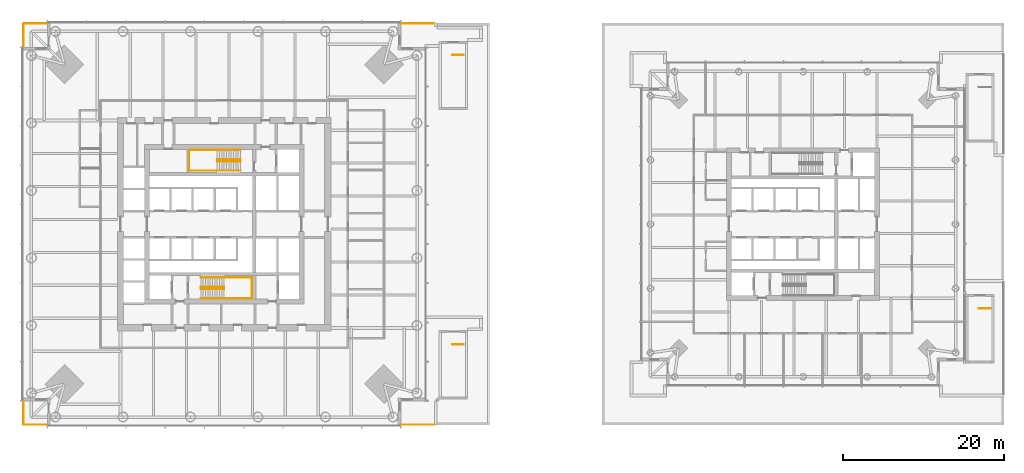
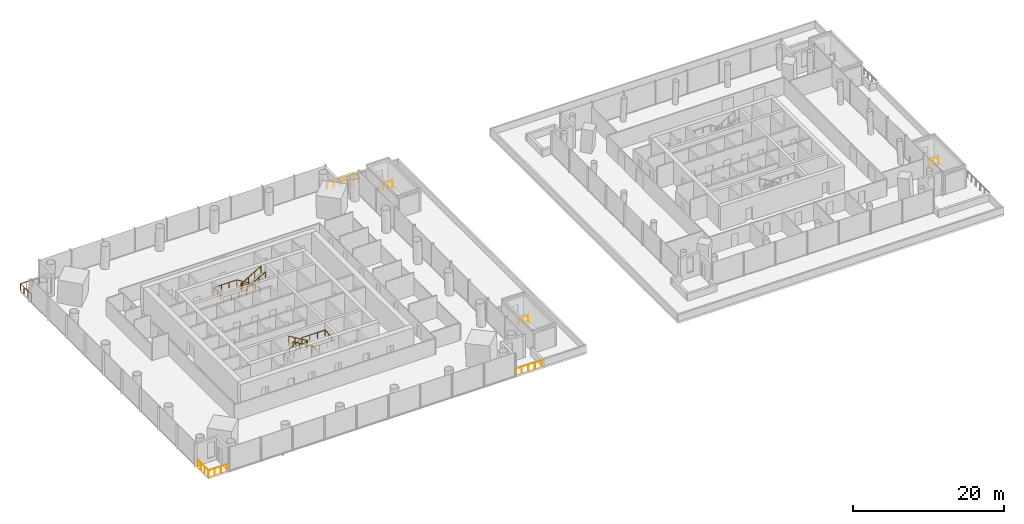
# One storey, part 18 of 19: 11 railings.
"""IFC4 building model written with IfcOpenShell, lengths in metres."""

from ifc_helpers import new_model, si_unit, direction, frame, origin, origin_2d, place, context, subcontext, project, spatial, circle, extrude, material, type_object, element, save


model = new_model("IFC4")

# Units and contexts
model_context = context("Model", 3, precision=1e-05, world=origin(), true_north=direction((0.0, 1.0)))
body_context = subcontext(model_context, "Body", "Model", "MODEL_VIEW")
ifc_project = project(units=[si_unit("LENGTHUNIT", "METRE"), si_unit("AREAUNIT", "SQUARE_METRE"), si_unit("VOLUMEUNIT", "CUBIC_METRE"), si_unit("PLANEANGLEUNIT", "RADIAN"), si_unit("MASSUNIT", "GRAM", prefix="KILO")], contexts=[model_context])

# Site, building, storey
site_placement = place(None, origin())
site = spatial("IfcSite", under=ifc_project, at=site_placement, CompositionType="ELEMENT")
building_placement = place(site_placement, origin())
building = spatial("IfcBuilding", under=site, at=building_placement, Name="Ostroluk Exchange", CompositionType="ELEMENT")
storey_placement = place(building_placement, frame((0.0, 0.0, 21.0)))
storey = spatial("IfcBuildingStorey", under=building, at=storey_placement, Name="L04", CompositionType="ELEMENT", Elevation=21.0)

# Railings
ifc_material_1 = material(Name="Stainless steel", Category="steel")
railing_type_1 = type_object("IfcRailingType", Name="Guard 1100 stainless steel", PredefinedType="GUARDRAIL", material=ifc_material_1)
railing_1_placement = place(storey_placement, frame((67.052001953125, 70.949951171875, 0.0)))
element("IfcRailing", 1, at=railing_1_placement, inside=storey, type_object=railing_type_1, Name="Terrace guard L04 1.1", PredefinedType="GUARDRAIL", context=body_context, shape_type="SweptSolid", body=[
    extrude(circle(Radius=0.02392578125, at=origin_2d()), frame((0.0, 0.0, 1.076171875), z_axis=(1.0, 0.0, 0.0), x_axis=(0.0, 1.0, 0.0)), (0.0, 0.0, 1.0), 4.095947265625),
    extrude(circle(Radius=0.02099609375, at=origin_2d()), origin(), (0.0, 0.0, 1.0), 1.052001953125),
    extrude(circle(Radius=0.02099609375, at=origin_2d()), frame((1.02392578125, 0.0, 0.0)), (0.0, 0.0, 1.0), 1.052001953125),
    extrude(circle(Radius=0.02099609375, at=origin_2d()), frame((2.0478515625, 0.0, 0.0)), (0.0, 0.0, 1.0), 1.052001953125),
    extrude(circle(Radius=0.02099609375, at=origin_2d()), frame((3.072021484375, 0.0, 0.0)), (0.0, 0.0, 1.0), 1.052001953125),
    extrude(circle(Radius=0.02099609375, at=origin_2d()), frame((4.095947265625, 0.0, 0.0)), (0.0, 0.0, 1.0), 1.052001953125),
])
railing_2_placement = place(storey_placement, frame((71.14794921875, 21.050048828125, 0.0)))
element("IfcRailing", 2, at=railing_2_placement, inside=storey, type_object=railing_type_1, Name="Terrace guard L04 1.1", PredefinedType="GUARDRAIL", context=body_context, shape_type="SweptSolid", body=[
    extrude(circle(Radius=0.02392578125, at=origin_2d()), frame((0.0, 0.0, 1.076171875), z_axis=(-1.0, 0.0, 0.0), x_axis=(0.0, -1.0, 0.0)), (0.0, 0.0, 1.0), 4.095947265625),
    extrude(circle(Radius=0.02099609375, at=origin_2d()), origin(), (0.0, 0.0, 1.0), 1.052001953125),
    extrude(circle(Radius=0.02099609375, at=origin_2d()), frame((-1.02392578125, 0.0, 0.0)), (0.0, 0.0, 1.0), 1.052001953125),
    extrude(circle(Radius=0.02099609375, at=origin_2d()), frame((-2.0478515625, 0.0, 0.0)), (0.0, 0.0, 1.0), 1.052001953125),
    extrude(circle(Radius=0.02099609375, at=origin_2d()), frame((-3.072021484375, 0.0, 0.0)), (0.0, 0.0, 1.0), 1.052001953125),
    extrude(circle(Radius=0.02099609375, at=origin_2d()), frame((-4.095947265625, 0.0, 0.0)), (0.0, 0.0, 1.0), 1.052001953125),
])
railing_3_placement = place(storey_placement, frame((20.050048828125, 68.052001953125, 0.0)))
element("IfcRailing", 3, at=railing_3_placement, inside=storey, type_object=railing_type_1, Name="Terrace guard L04 1.1", PredefinedType="GUARDRAIL", context=body_context, shape_type="SweptSolid", body=[
    extrude(circle(Radius=0.02392578125, at=origin_2d()), frame((0.0, 0.0, 1.076171875), z_axis=(0.0, 1.0, 0.0), x_axis=(-1.0, 0.0, 0.0)), (0.0, 0.0, 1.0), 2.89794921875),
    extrude(circle(Radius=0.02392578125, at=origin_2d()), frame((0.0, 2.89794921875, 1.076171875), z_axis=(1.0, 0.0, 0.0), x_axis=(0.0, 1.0, 0.0)), (0.0, 0.0, 1.0), 2.89794921875),
    extrude(circle(Radius=0.02099609375, at=origin_2d()), origin(), (0.0, 0.0, 1.0), 1.052001953125),
    extrude(circle(Radius=0.02099609375, at=origin_2d()), frame((0.0, 0.966064453125, 0.0)), (0.0, 0.0, 1.0), 1.052001953125),
    extrude(circle(Radius=0.02099609375, at=origin_2d()), frame((0.0, 1.931884765625, 0.0)), (0.0, 0.0, 1.0), 1.052001953125),
    extrude(circle(Radius=0.02099609375, at=origin_2d()), frame((0.0, 2.89794921875, 0.0)), (0.0, 0.0, 1.0), 1.052001953125),
    extrude(circle(Radius=0.02099609375, at=origin_2d()), frame((0.966064453125, 2.89794921875, 0.0)), (0.0, 0.0, 1.0), 1.052001953125),
    extrude(circle(Radius=0.02099609375, at=origin_2d()), frame((1.931884765625, 2.89794921875, 0.0)), (0.0, 0.0, 1.0), 1.052001953125),
    extrude(circle(Radius=0.02099609375, at=origin_2d()), frame((2.89794921875, 2.89794921875, 0.0)), (0.0, 0.0, 1.0), 1.052001953125),
])
railing_4_placement = place(storey_placement, frame((22.947998046875, 21.050048828125, 0.0)))
element("IfcRailing", 4, at=railing_4_placement, inside=storey, type_object=railing_type_1, Name="Terrace guard L04 1.1", PredefinedType="GUARDRAIL", context=body_context, shape_type="SweptSolid", body=[
    extrude(circle(Radius=0.02392578125, at=origin_2d()), frame((0.0, 0.0, 1.076171875), z_axis=(-1.0, 0.0, 0.0), x_axis=(0.0, -1.0, 0.0)), (0.0, 0.0, 1.0), 2.89794921875),
    extrude(circle(Radius=0.02392578125, at=origin_2d()), frame((-2.89794921875, 0.0, 1.076171875), z_axis=(0.0, 1.0, 0.0), x_axis=(-1.0, 0.0, 0.0)), (0.0, 0.0, 1.0), 2.89794921875),
    extrude(circle(Radius=0.02099609375, at=origin_2d()), origin(), (0.0, 0.0, 1.0), 1.052001953125),
    extrude(circle(Radius=0.02099609375, at=origin_2d()), frame((-0.966064453125, 0.0, 0.0)), (0.0, 0.0, 1.0), 1.052001953125),
    extrude(circle(Radius=0.02099609375, at=origin_2d()), frame((-1.931884765625, 0.0, 0.0)), (0.0, 0.0, 1.0), 1.052001953125),
    extrude(circle(Radius=0.02099609375, at=origin_2d()), frame((-2.89794921875, 0.0, 0.0)), (0.0, 0.0, 1.0), 1.052001953125),
    extrude(circle(Radius=0.02099609375, at=origin_2d()), frame((-2.89794921875, 0.966064453125, 0.0)), (0.0, 0.0, 1.0), 1.052001953125),
    extrude(circle(Radius=0.02099609375, at=origin_2d()), frame((-2.89794921875, 1.931884765625, 0.0)), (0.0, 0.0, 1.0), 1.052001953125),
    extrude(circle(Radius=0.02099609375, at=origin_2d()), frame((-2.89794921875, 2.89794921875, 0.0)), (0.0, 0.0, 1.0), 1.052001953125),
])
ifc_material_2 = material(Name="Steel S355", Category="steel")
railing_type_2 = type_object("IfcRailingType", Name="Stair guard 1100", PredefinedType="GUARDRAIL", material=ifc_material_2)
railing_5_placement = place(storey_placement, frame((42.10009765625, 38.179931640625, 0.172607421875)))
element("IfcRailing", 5, at=railing_5_placement, inside=storey, type_object=railing_type_2, Name="Stair T1-S1 guard L04", PredefinedType="GUARDRAIL", context=body_context, shape_type="SweptSolid", body=[
    extrude(circle(Radius=0.02392578125, at=origin_2d()), frame((0.0, 0.0, 1.076171875), z_axis=(0.859141464434, 0.0, 0.511738159696), x_axis=(0.0, 1.0, 0.0)), (0.0, 0.0, 1.0), 3.375244140625),
    extrude(circle(Radius=0.02392578125, at=origin_2d()), frame((2.89990234375, 0.0, 2.80322265625), z_axis=(0.0, -1.0, 0.0), x_axis=(1.0, 0.0, 0.0)), (0.0, 0.0, 1.0), 0.260009765625),
    extrude(circle(Radius=0.02392578125, at=origin_2d()), frame((2.89990234375, -0.260009765625, 2.80322265625), z_axis=(0.0, 0.0, 1.0), x_axis=(1.0, 0.0, 0.0)), (0.0, 0.0, 1.0), 0.1728515625),
    extrude(circle(Radius=0.02392578125, at=origin_2d()), frame((2.89990234375, -0.260009765625, 2.97607421875), z_axis=(-0.859141464434, 0.0, 0.511738159696), x_axis=(0.0, -1.0, 0.0)), (0.0, 0.0, 1.0), 3.375244140625),
    extrude(circle(Radius=0.02099609375, at=origin_2d()), origin(), (0.0, 0.0, 1.0), 1.052001953125),
    extrude(circle(Radius=0.02099609375, at=origin_2d()), frame((0.966552734375, 0.0, 0.57568359375)), (0.0, 0.0, 1.0), 1.052001953125),
    extrude(circle(Radius=0.02099609375, at=origin_2d()), frame((1.933349609375, 0.0, 1.151611328125)), (0.0, 0.0, 1.0), 1.052001953125),
    extrude(circle(Radius=0.02099609375, at=origin_2d()), frame((2.89990234375, 0.0, 1.727294921875)), (0.0, 0.0, 1.0), 1.052001953125),
    extrude(circle(Radius=0.02099609375, at=origin_2d()), frame((2.89990234375, -0.260009765625, 1.727294921875)), (0.0, 0.0, 1.0), 1.052001953125),
    extrude(circle(Radius=0.02099609375, at=origin_2d()), frame((2.89990234375, -0.260009765625, 1.900146484375)), (0.0, 0.0, 1.0), 1.052001953125),
    extrude(circle(Radius=0.02099609375, at=origin_2d()), frame((1.933349609375, -0.260009765625, 2.475830078125)), (0.0, 0.0, 1.0), 1.052001953125),
    extrude(circle(Radius=0.02099609375, at=origin_2d()), frame((0.966552734375, -0.260009765625, 3.0517578125)), (0.0, 0.0, 1.0), 1.052001953125),
    extrude(circle(Radius=0.02099609375, at=origin_2d()), frame((0.0, -0.260009765625, 3.62744140625)), (0.0, 0.0, 1.0), 1.052001953125),
])
railing_6_placement = place(storey_placement, frame((47.030029296875, 54.080078125, 0.172607421875)))
element("IfcRailing", 6, at=railing_6_placement, inside=storey, type_object=railing_type_2, Name="Stair T1-S2 guard L04", PredefinedType="GUARDRAIL", context=body_context, shape_type="SweptSolid", body=[
    extrude(circle(Radius=0.02392578125, at=origin_2d()), frame((0.0, 0.0, 1.076171875), z_axis=(-0.859160404282, 0.0, 0.51170636083), x_axis=(0.0, -1.0, 0.0)), (0.0, 0.0, 1.0), 3.37548828125),
    extrude(circle(Radius=0.02392578125, at=origin_2d()), frame((-2.900146484375, 0.0, 2.80322265625), z_axis=(0.0, -1.0, 0.0), x_axis=(1.0, 0.0, 0.0)), (0.0, 0.0, 1.0), 0.260009765625),
    extrude(circle(Radius=0.02392578125, at=origin_2d()), frame((-2.900146484375, -0.260009765625, 2.80322265625), z_axis=(0.0, 0.0, 1.0), x_axis=(1.0, 0.0, 0.0)), (0.0, 0.0, 1.0), 0.1728515625),
    extrude(circle(Radius=0.02392578125, at=origin_2d()), frame((-2.900146484375, -0.260009765625, 2.97607421875), z_axis=(0.859160404282, 0.0, 0.51170636083), x_axis=(0.0, 1.0, 0.0)), (0.0, 0.0, 1.0), 3.37548828125),
    extrude(circle(Radius=0.02099609375, at=origin_2d()), origin(), (0.0, 0.0, 1.0), 1.052001953125),
    extrude(circle(Radius=0.02099609375, at=origin_2d()), frame((-0.966796875, 0.0, 0.57568359375)), (0.0, 0.0, 1.0), 1.052001953125),
    extrude(circle(Radius=0.02099609375, at=origin_2d()), frame((-1.933349609375, 0.0, 1.151611328125)), (0.0, 0.0, 1.0), 1.052001953125),
    extrude(circle(Radius=0.02099609375, at=origin_2d()), frame((-2.900146484375, 0.0, 1.727294921875)), (0.0, 0.0, 1.0), 1.052001953125),
    extrude(circle(Radius=0.02099609375, at=origin_2d()), frame((-2.900146484375, -0.260009765625, 1.727294921875)), (0.0, 0.0, 1.0), 1.052001953125),
    extrude(circle(Radius=0.02099609375, at=origin_2d()), frame((-2.900146484375, -0.260009765625, 1.900146484375)), (0.0, 0.0, 1.0), 1.052001953125),
    extrude(circle(Radius=0.02099609375, at=origin_2d()), frame((-1.933349609375, -0.260009765625, 2.475830078125)), (0.0, 0.0, 1.0), 1.052001953125),
    extrude(circle(Radius=0.02099609375, at=origin_2d()), frame((-0.966796875, -0.260009765625, 3.0517578125)), (0.0, 0.0, 1.0), 1.052001953125),
    extrude(circle(Radius=0.02099609375, at=origin_2d()), frame((0.0, -0.260009765625, 3.62744140625)), (0.0, 0.0, 1.0), 1.052001953125),
])
for number, where, name in (
    (7, (74.800048828125, 31.030029296875, 0.0), "Stair PS3 well guard L04"),
    (8, (74.800048828125, 67.030029296875, 0.0), "Stair PS4 well guard L04"),
    (9, (140.300048828125, 35.530029296875, 0.0), "Stair PS7 well guard L04"),
):
    element("IfcRailing", number, at=place(storey_placement, frame(where)), inside=storey, type_object=railing_type_2, Name=name, PredefinedType="GUARDRAIL", context=body_context, shape_type="SweptSolid", body=[
        extrude(circle(Radius=0.02392578125, at=origin_2d()), frame((0.0, 0.0, 1.076171875), z_axis=(-1.0, 0.0, 0.0), x_axis=(0.0, -1.0, 0.0)), (0.0, 0.0, 1.0), 1.429931640625),
        extrude(circle(Radius=0.02099609375, at=origin_2d()), origin(), (0.0, 0.0, 1.0), 1.052001953125),
        extrude(circle(Radius=0.02099609375, at=origin_2d()), frame((-0.71484375, 0.0, 0.0)), (0.0, 0.0, 1.0), 1.052001953125),
        extrude(circle(Radius=0.02099609375, at=origin_2d()), frame((-1.429931640625, 0.0, 0.0)), (0.0, 0.0, 1.0), 1.052001953125),
    ])
ifc_material_3 = material(Name="Stainless steel", Category="steel")
railing_type_3 = type_object("IfcRailingType", Name="Stair handrail 900", PredefinedType="HANDRAIL", material=ifc_material_3)
railing_7_placement = place(storey_placement, frame((42.10009765625, 39.35009765625, 0.172607421875)))
element("IfcRailing", 10, at=railing_7_placement, inside=storey, type_object=railing_type_3, Name="Stair T1-S1 handrail L04", PredefinedType="HANDRAIL", context=body_context, shape_type="SweptSolid", body=[
    extrude(circle(Radius=0.02392578125, at=origin_2d()), frame((0.0, 0.0, 0.8759765625), z_axis=(0.859141464434, 0.0, 0.511738159696), x_axis=(0.0, 1.0, 0.0)), (0.0, 0.0, 1.0), 3.375244140625),
    extrude(circle(Radius=0.02392578125, at=origin_2d()), frame((2.89990234375, 0.0, 2.60302734375), z_axis=(1.0, 0.0, 0.0), x_axis=(0.0, 1.0, 0.0)), (0.0, 0.0, 1.0), 3.47998046875),
    extrude(circle(Radius=0.02392578125, at=origin_2d()), frame((6.3798828125, 0.0, 2.60302734375), z_axis=(0.0, -1.0, 0.0), x_axis=(1.0, 0.0, 0.0)), (0.0, 0.0, 1.0), 2.60009765625),
    extrude(circle(Radius=0.02392578125, at=origin_2d()), frame((6.3798828125, -2.60009765625, 2.60302734375), z_axis=(-1.0, 0.0, 0.0), x_axis=(0.0, -1.0, 0.0)), (0.0, 0.0, 1.0), 3.47998046875),
    extrude(circle(Radius=0.02392578125, at=origin_2d()), frame((2.89990234375, -2.60009765625, 2.60302734375), z_axis=(0.0, 0.0, 1.0), x_axis=(1.0, 0.0, 0.0)), (0.0, 0.0, 1.0), 0.1728515625),
    extrude(circle(Radius=0.02392578125, at=origin_2d()), frame((2.89990234375, -2.60009765625, 2.77587890625), z_axis=(-0.859141464434, 0.0, 0.511738159696), x_axis=(0.0, -1.0, 0.0)), (0.0, 0.0, 1.0), 3.375244140625),
    extrude(circle(Radius=0.02099609375, at=origin_2d()), origin(), (0.0, 0.0, 1.0), 0.851806640625),
    extrude(circle(Radius=0.02099609375, at=origin_2d()), frame((0.966552734375, 0.0, 0.57568359375)), (0.0, 0.0, 1.0), 0.851806640625),
    extrude(circle(Radius=0.02099609375, at=origin_2d()), frame((1.933349609375, 0.0, 1.151611328125)), (0.0, 0.0, 1.0), 0.851806640625),
    extrude(circle(Radius=0.02099609375, at=origin_2d()), frame((2.89990234375, 0.0, 1.727294921875)), (0.0, 0.0, 1.0), 0.851806640625),
    extrude(circle(Radius=0.02099609375, at=origin_2d()), frame((4.059814453125, 0.0, 1.727294921875)), (0.0, 0.0, 1.0), 0.851806640625),
    extrude(circle(Radius=0.02099609375, at=origin_2d()), frame((5.219970703125, 0.0, 1.727294921875)), (0.0, 0.0, 1.0), 0.851806640625),
    extrude(circle(Radius=0.02099609375, at=origin_2d()), frame((6.3798828125, 0.0, 1.727294921875)), (0.0, 0.0, 1.0), 0.851806640625),
    extrude(circle(Radius=0.02099609375, at=origin_2d()), frame((6.3798828125, -0.86669921875, 1.727294921875)), (0.0, 0.0, 1.0), 0.851806640625),
    extrude(circle(Radius=0.02099609375, at=origin_2d()), frame((6.3798828125, -1.7333984375, 1.727294921875)), (0.0, 0.0, 1.0), 0.851806640625),
    extrude(circle(Radius=0.02099609375, at=origin_2d()), frame((6.3798828125, -2.60009765625, 1.727294921875)), (0.0, 0.0, 1.0), 0.851806640625),
    extrude(circle(Radius=0.02099609375, at=origin_2d()), frame((5.219970703125, -2.60009765625, 1.727294921875)), (0.0, 0.0, 1.0), 0.851806640625),
    extrude(circle(Radius=0.02099609375, at=origin_2d()), frame((4.059814453125, -2.60009765625, 1.727294921875)), (0.0, 0.0, 1.0), 0.851806640625),
    extrude(circle(Radius=0.02099609375, at=origin_2d()), frame((2.89990234375, -2.60009765625, 1.727294921875)), (0.0, 0.0, 1.0), 0.851806640625),
    extrude(circle(Radius=0.02099609375, at=origin_2d()), frame((2.89990234375, -2.60009765625, 1.900146484375)), (0.0, 0.0, 1.0), 0.851806640625),
    extrude(circle(Radius=0.02099609375, at=origin_2d()), frame((1.933349609375, -2.60009765625, 2.475830078125)), (0.0, 0.0, 1.0), 0.851806640625),
    extrude(circle(Radius=0.02099609375, at=origin_2d()), frame((0.966552734375, -2.60009765625, 3.0517578125)), (0.0, 0.0, 1.0), 0.851806640625),
    extrude(circle(Radius=0.02099609375, at=origin_2d()), frame((0.0, -2.60009765625, 3.62744140625)), (0.0, 0.0, 1.0), 0.851806640625),
])
railing_8_placement = place(storey_placement, frame((47.030029296875, 55.25, 0.172607421875)))
element("IfcRailing", 11, at=railing_8_placement, inside=storey, type_object=railing_type_3, Name="Stair T1-S2 handrail L04", PredefinedType="HANDRAIL", context=body_context, shape_type="SweptSolid", body=[
    extrude(circle(Radius=0.02392578125, at=origin_2d()), frame((0.0, 0.0, 0.8759765625), z_axis=(-0.859160404282, 0.0, 0.51170636083), x_axis=(0.0, -1.0, 0.0)), (0.0, 0.0, 1.0), 3.37548828125),
    extrude(circle(Radius=0.02392578125, at=origin_2d()), frame((-2.900146484375, 0.0, 2.60302734375), z_axis=(-1.0, 0.0, 0.0), x_axis=(0.0, -1.0, 0.0)), (0.0, 0.0, 1.0), 3.47998046875),
    extrude(circle(Radius=0.02392578125, at=origin_2d()), frame((-6.380126953125, 0.0, 2.60302734375), z_axis=(0.0, -1.0, 0.0), x_axis=(1.0, 0.0, 0.0)), (0.0, 0.0, 1.0), 2.60009765625),
    extrude(circle(Radius=0.02392578125, at=origin_2d()), frame((-6.380126953125, -2.60009765625, 2.60302734375), z_axis=(1.0, 0.0, 0.0), x_axis=(0.0, 1.0, 0.0)), (0.0, 0.0, 1.0), 3.47998046875),
    extrude(circle(Radius=0.02392578125, at=origin_2d()), frame((-2.900146484375, -2.60009765625, 2.60302734375), z_axis=(0.0, 0.0, 1.0), x_axis=(1.0, 0.0, 0.0)), (0.0, 0.0, 1.0), 0.1728515625),
    extrude(circle(Radius=0.02392578125, at=origin_2d()), frame((-2.900146484375, -2.60009765625, 2.77587890625), z_axis=(0.859160404282, 0.0, 0.51170636083), x_axis=(0.0, 1.0, 0.0)), (0.0, 0.0, 1.0), 3.37548828125),
    extrude(circle(Radius=0.02099609375, at=origin_2d()), origin(), (0.0, 0.0, 1.0), 0.851806640625),
    extrude(circle(Radius=0.02099609375, at=origin_2d()), frame((-0.966796875, 0.0, 0.57568359375)), (0.0, 0.0, 1.0), 0.851806640625),
    extrude(circle(Radius=0.02099609375, at=origin_2d()), frame((-1.933349609375, 0.0, 1.151611328125)), (0.0, 0.0, 1.0), 0.851806640625),
    extrude(circle(Radius=0.02099609375, at=origin_2d()), frame((-2.900146484375, 0.0, 1.727294921875)), (0.0, 0.0, 1.0), 0.851806640625),
    extrude(circle(Radius=0.02099609375, at=origin_2d()), frame((-4.06005859375, 0.0, 1.727294921875)), (0.0, 0.0, 1.0), 0.851806640625),
    extrude(circle(Radius=0.02099609375, at=origin_2d()), frame((-5.22021484375, 0.0, 1.727294921875)), (0.0, 0.0, 1.0), 0.851806640625),
    extrude(circle(Radius=0.02099609375, at=origin_2d()), frame((-6.380126953125, 0.0, 1.727294921875)), (0.0, 0.0, 1.0), 0.851806640625),
    extrude(circle(Radius=0.02099609375, at=origin_2d()), frame((-6.380126953125, -0.86669921875, 1.727294921875)), (0.0, 0.0, 1.0), 0.851806640625),
    extrude(circle(Radius=0.02099609375, at=origin_2d()), frame((-6.380126953125, -1.7333984375, 1.727294921875)), (0.0, 0.0, 1.0), 0.851806640625),
    extrude(circle(Radius=0.02099609375, at=origin_2d()), frame((-6.380126953125, -2.60009765625, 1.727294921875)), (0.0, 0.0, 1.0), 0.851806640625),
    extrude(circle(Radius=0.02099609375, at=origin_2d()), frame((-5.22021484375, -2.60009765625, 1.727294921875)), (0.0, 0.0, 1.0), 0.851806640625),
    extrude(circle(Radius=0.02099609375, at=origin_2d()), frame((-4.06005859375, -2.60009765625, 1.727294921875)), (0.0, 0.0, 1.0), 0.851806640625),
    extrude(circle(Radius=0.02099609375, at=origin_2d()), frame((-2.900146484375, -2.60009765625, 1.727294921875)), (0.0, 0.0, 1.0), 0.851806640625),
    extrude(circle(Radius=0.02099609375, at=origin_2d()), frame((-2.900146484375, -2.60009765625, 1.900146484375)), (0.0, 0.0, 1.0), 0.851806640625),
    extrude(circle(Radius=0.02099609375, at=origin_2d()), frame((-1.933349609375, -2.60009765625, 2.475830078125)), (0.0, 0.0, 1.0), 0.851806640625),
    extrude(circle(Radius=0.02099609375, at=origin_2d()), frame((-0.966796875, -2.60009765625, 3.0517578125)), (0.0, 0.0, 1.0), 0.851806640625),
    extrude(circle(Radius=0.02099609375, at=origin_2d()), frame((0.0, -2.60009765625, 3.62744140625)), (0.0, 0.0, 1.0), 0.851806640625),
])

save(model, "model.ifc")
